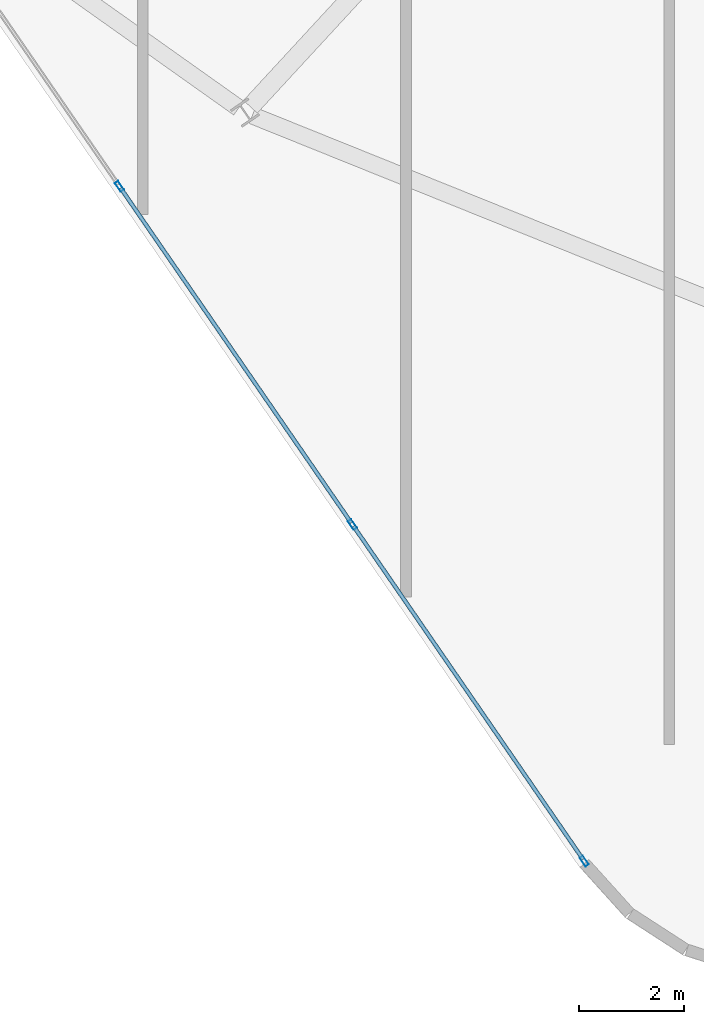
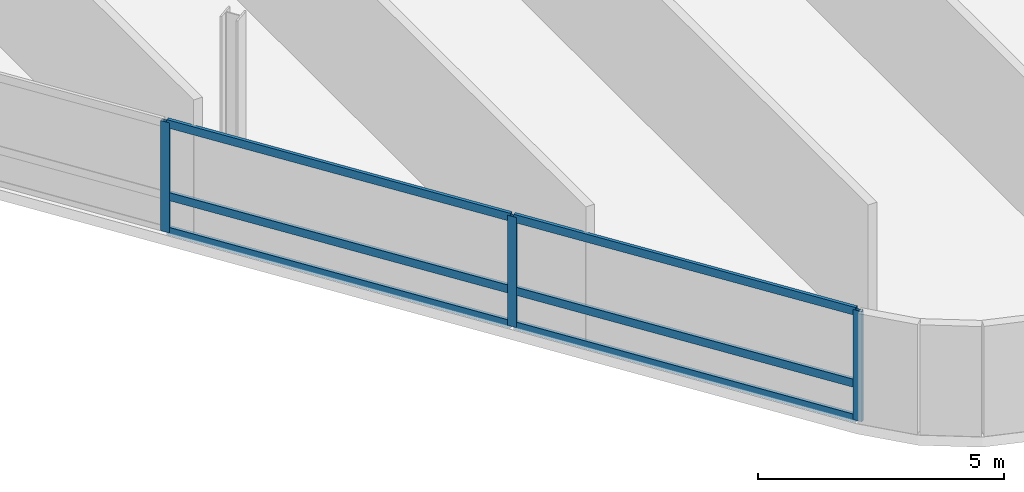
# One storey, part 3 of 22: 9 members, 1 element without a shape of its own.
"""IFC4 building model written with IfcOpenShell, lengths in metres."""

from ifc_helpers import new_model, si_unit, direction, frame, origin, origin_2d, place, context, subcontext, project, spatial, hollow_rectangle, extrude, material, layer, layer_set, material_profile, profile_set, type_object, element, aggregate, save


model = new_model("IFC4")

# Units and contexts
model_context = context("Model", 3, precision=1e-05, world=origin(), true_north=direction((0.0, 1.0)))
body_context = subcontext(model_context, "Body", "Model", "MODEL_VIEW")
ifc_project = project(units=[si_unit("LENGTHUNIT", "METRE"), si_unit("AREAUNIT", "SQUARE_METRE"), si_unit("VOLUMEUNIT", "CUBIC_METRE"), si_unit("PLANEANGLEUNIT", "RADIAN"), si_unit("MASSUNIT", "GRAM", prefix="KILO")], contexts=[model_context])

# Site, building, storey
site_placement = place(None, origin())
site = spatial("IfcSite", under=ifc_project, at=site_placement, CompositionType="ELEMENT")
building_placement = place(site_placement, origin())
building = spatial("IfcBuilding", under=site, at=building_placement, Name="Varnelok Gate Tower", CompositionType="ELEMENT")
storey_placement = place(building_placement, frame((0.0, 0.0, 280.39990234375)))
storey = spatial("IfcBuildingStorey", under=building, at=storey_placement, Name="L72", CompositionType="ELEMENT", Elevation=280.39990234375)

# Curtain wall, members
ifc_material = material(Name="Anodized Aluminum Alloy 6063-T6", Category="aluminium")
ifc_layer = layer(ifc_material, 0.179931640625)
ifc_layer_set = layer_set([ifc_layer], Name="Anodized Aluminum Alloy 6063-T6")
curtain_wall_type = type_object("IfcCurtainWallType", Name="CW4-RESIDENCE-VISION", PredefinedType="USERDEFINED", material=ifc_layer_set)
curtain_wall_placement = place(storey_placement, origin())
curtain_wall = element("IfcCurtainWall", 1, at=curtain_wall_placement, inside=storey, type_object=curtain_wall_type, Name="L72 West End Vision Curtain Wall", ObjectType="UNITISED CURTAIN WALL", PredefinedType="USERDEFINED")
ifc_material_profile_1 = material_profile(ifc_material, hollow_rectangle(XDim=0.074951171875, YDim=0.199951171875, WallThickness=0.00390625, at=origin_2d()), Name="ALU200X75X4")
ifc_profile_set_1 = profile_set([ifc_material_profile_1], Name="Anodized Aluminum Alloy 6063-T6")
member_type_1 = type_object("IfcMemberType", Name="CW-MULL-200", PredefinedType="MULLION", material=ifc_profile_set_1)
member_1_placement = place(storey_placement, frame((20.884521484375, -6.21337890625, 0.0), z_axis=(0.0, 0.0, 1.0), x_axis=(-0.823532290241, -0.567269395376, 0.0)))
member_1 = element("IfcMember", 2, at=member_1_placement, type_object=member_type_1, Name="CW4 mullion 1", PredefinedType="MULLION", context=body_context, shape_type="SweptSolid", body=[
    extrude(hollow_rectangle(XDim=0.074951171875, YDim=0.199951171875, WallThickness=0.00390625, at=origin_2d()), origin(), (0.0, 0.0, 1.0), 2.72998046875),
])
member_2_placement = place(storey_placement, frame((16.481201171875, 0.17919921875, 0.0), z_axis=(0.0, 0.0, 1.0), x_axis=(-0.823532290241, -0.567269395376, 0.0)))
member_2 = element("IfcMember", 3, at=member_2_placement, type_object=member_type_1, Name="CW4 mullion 2", PredefinedType="MULLION", context=body_context, shape_type="SweptSolid", body=[
    extrude(hollow_rectangle(XDim=0.074951171875, YDim=0.199951171875, WallThickness=0.00390625, at=origin_2d()), origin(), (0.0, 0.0, 1.0), 2.72998046875),
])
member_3_placement = place(storey_placement, frame((12.056396484375, 6.602783203125, 0.0), z_axis=(0.0, 0.0, 1.0), x_axis=(-0.823532290241, -0.567269395376, 0.0)))
member_3 = element("IfcMember", 4, at=member_3_placement, type_object=member_type_1, Name="CW4 mullion 3", PredefinedType="MULLION", context=body_context, shape_type="SweptSolid", body=[
    extrude(hollow_rectangle(XDim=0.074951171875, YDim=0.199951171875, WallThickness=0.00390625, at=origin_2d()), origin(), (0.0, 0.0, 1.0), 2.72998046875),
])
ifc_material_profile_2 = material_profile(ifc_material, hollow_rectangle(XDim=0.074951171875, YDim=0.199951171875, WallThickness=0.00390625, at=origin_2d()), Name="ALU200X75X4")
ifc_profile_set_2 = profile_set([ifc_material_profile_2], Name="Anodized Aluminum Alloy 6063-T6")
member_type_2 = type_object("IfcMemberType", Name="CW-TRAN-200", PredefinedType="USERDEFINED", material=ifc_profile_set_2)
member_4_placement = place(storey_placement, frame((20.86328125, -6.1826171875, 0.03759765625), z_axis=(-0.567256418128, 0.82354122914, 0.0), x_axis=(-0.82354122914, -0.567256418128, 0.0)))
member_4 = element("IfcMember", 5, at=member_4_placement, type_object=member_type_2, Name="CW4 transom 1.1", ObjectType="TRANSOM", PredefinedType="USERDEFINED", context=body_context, shape_type="SweptSolid", body=[
    extrude(hollow_rectangle(XDim=0.074951171875, YDim=0.199951171875, WallThickness=0.00390625, at=origin_2d()), origin(), (0.0, 0.0, 1.0), 7.6875),
])
member_5_placement = place(storey_placement, frame((20.86328125, -6.1826171875, 0.900146484375), z_axis=(-0.567256418128, 0.82354122914, 0.0), x_axis=(-0.82354122914, -0.567256418128, 0.0)))
member_5 = element("IfcMember", 6, at=member_5_placement, type_object=member_type_2, Name="CW4 transom 1.2", ObjectType="TRANSOM", PredefinedType="USERDEFINED", context=body_context, shape_type="SweptSolid", body=[
    extrude(hollow_rectangle(XDim=0.074951171875, YDim=0.199951171875, WallThickness=0.00390625, at=origin_2d()), origin(), (0.0, 0.0, 1.0), 7.6875),
])
member_6_placement = place(storey_placement, frame((20.86328125, -6.1826171875, 2.692626953125), z_axis=(-0.567256418128, 0.82354122914, 0.0), x_axis=(-0.82354122914, -0.567256418128, 0.0)))
member_6 = element("IfcMember", 7, at=member_6_placement, type_object=member_type_2, Name="CW4 transom 1.3", ObjectType="TRANSOM", PredefinedType="USERDEFINED", context=body_context, shape_type="SweptSolid", body=[
    extrude(hollow_rectangle(XDim=0.074951171875, YDim=0.199951171875, WallThickness=0.00390625, at=origin_2d()), origin(), (0.0, 0.0, 1.0), 7.6875),
])
member_7_placement = place(storey_placement, frame((16.459716796875, 0.210205078125, 0.03759765625), z_axis=(-0.567260941086, 0.823538113701, 0.0), x_axis=(-0.823538113701, -0.567260941086, 0.0)))
member_7 = element("IfcMember", 8, at=member_7_placement, type_object=member_type_2, Name="CW4 transom 2.1", ObjectType="TRANSOM", PredefinedType="USERDEFINED", context=body_context, shape_type="SweptSolid", body=[
    extrude(hollow_rectangle(XDim=0.074951171875, YDim=0.199951171875, WallThickness=0.00390625, at=origin_2d()), origin(), (0.0, 0.0, 1.0), 7.72509765625),
])
member_8_placement = place(storey_placement, frame((16.459716796875, 0.210205078125, 0.900146484375), z_axis=(-0.567260941086, 0.823538113701, 0.0), x_axis=(-0.823538113701, -0.567260941086, 0.0)))
member_8 = element("IfcMember", 9, at=member_8_placement, type_object=member_type_2, Name="CW4 transom 2.2", ObjectType="TRANSOM", PredefinedType="USERDEFINED", context=body_context, shape_type="SweptSolid", body=[
    extrude(hollow_rectangle(XDim=0.074951171875, YDim=0.199951171875, WallThickness=0.00390625, at=origin_2d()), origin(), (0.0, 0.0, 1.0), 7.72509765625),
])
member_9_placement = place(storey_placement, frame((16.459716796875, 0.210205078125, 2.692626953125), z_axis=(-0.567260941086, 0.823538113701, 0.0), x_axis=(-0.823538113701, -0.567260941086, 0.0)))
member_9 = element("IfcMember", 10, at=member_9_placement, type_object=member_type_2, Name="CW4 transom 2.3", ObjectType="TRANSOM", PredefinedType="USERDEFINED", context=body_context, shape_type="SweptSolid", body=[
    extrude(hollow_rectangle(XDim=0.074951171875, YDim=0.199951171875, WallThickness=0.00390625, at=origin_2d()), origin(), (0.0, 0.0, 1.0), 7.72509765625),
])
aggregate(curtain_wall, [member_1, member_2, member_3, member_4, member_5, member_6, member_7, member_8, member_9])

save(model, "model.ifc")
